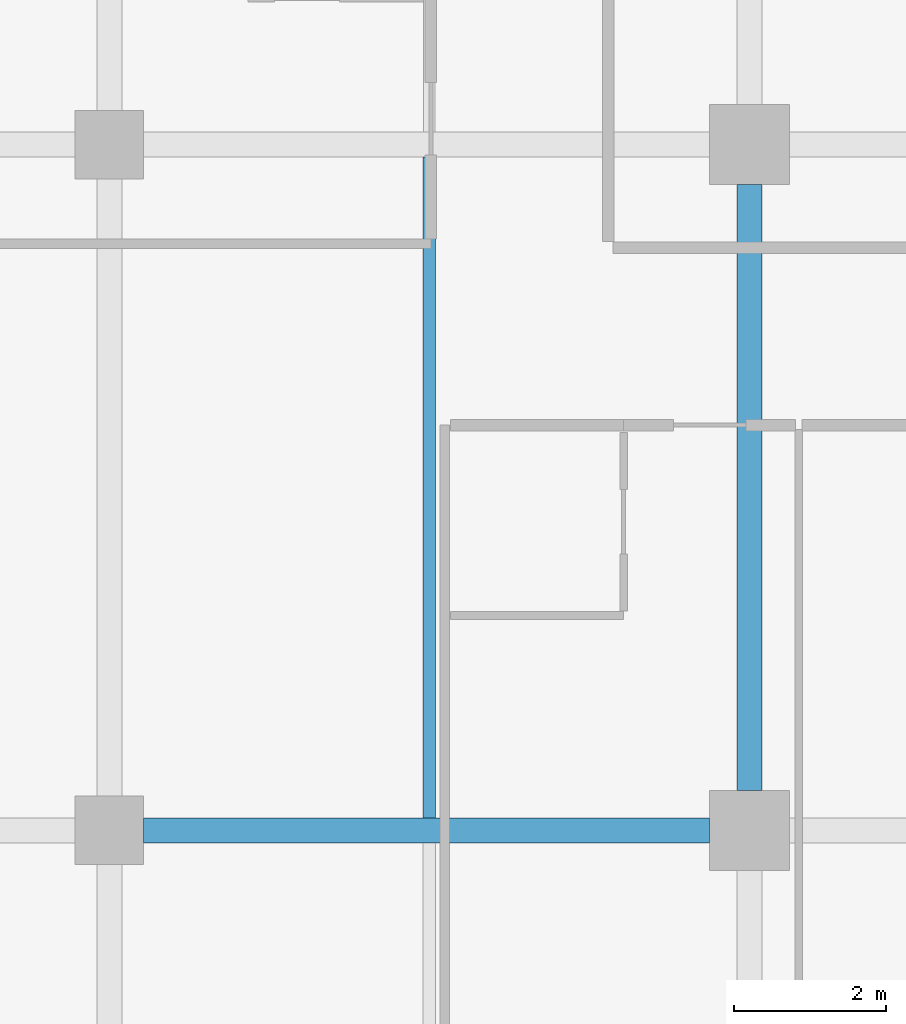
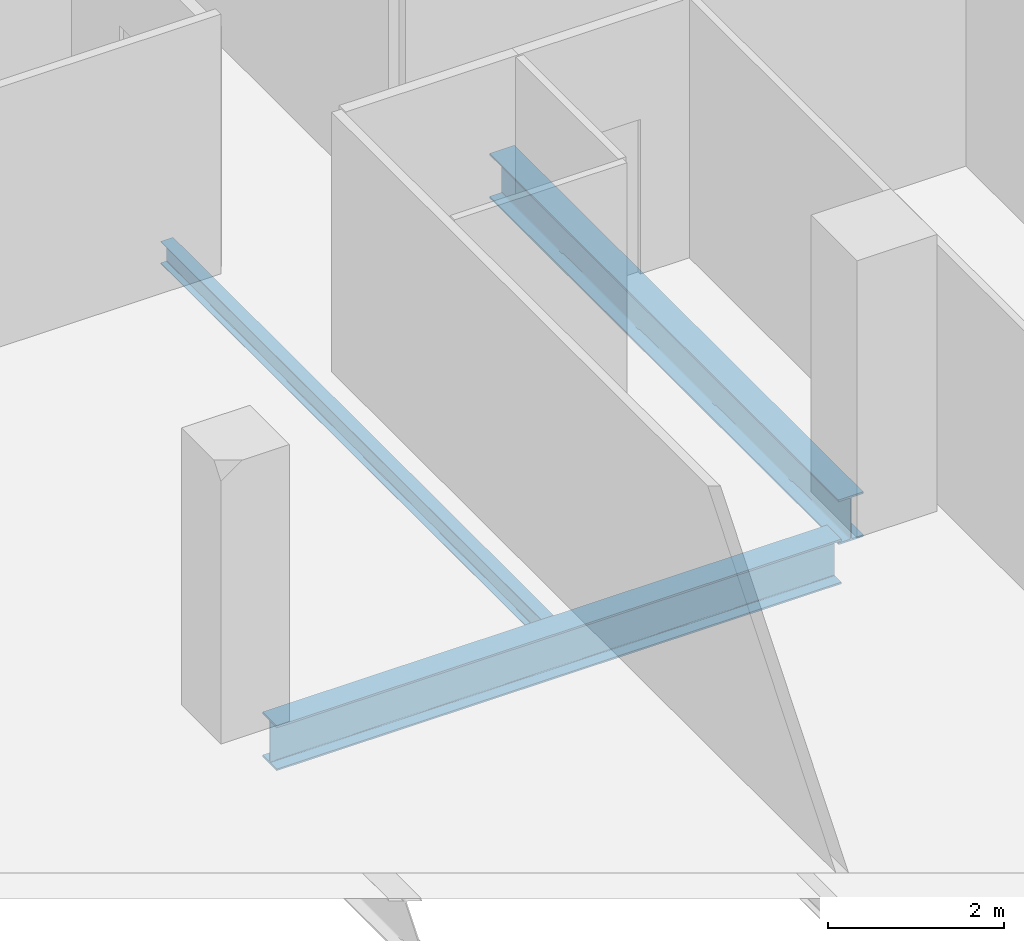
# One storey, part 6 of 40: 3 beams.
"""IFC4 building model written with IfcOpenShell, lengths in metres."""

from ifc_helpers import new_model, si_unit, direction, frame, origin, origin_2d, place, context, subcontext, project, spatial, i_section, extrude, material, material_profile, profile_set, type_object, element, save


model = new_model("IFC4")

# Units and contexts
model_context = context("Model", 3, precision=1e-05, world=origin(), true_north=direction((0.0, 1.0)))
body_context = subcontext(model_context, "Body", "Model", "MODEL_VIEW")
ifc_project = project(units=[si_unit("LENGTHUNIT", "METRE"), si_unit("AREAUNIT", "SQUARE_METRE"), si_unit("VOLUMEUNIT", "CUBIC_METRE"), si_unit("PLANEANGLEUNIT", "RADIAN"), si_unit("MASSUNIT", "GRAM", prefix="KILO")], contexts=[model_context])

# Site, building, storey
site_placement = place(None, origin())
site = spatial("IfcSite", under=ifc_project, at=site_placement, CompositionType="ELEMENT")
building_placement = place(site_placement, origin())
building = spatial("IfcBuilding", under=site, at=building_placement, Name="Maruvema Waterfront Hotel and Observation Tower", CompositionType="ELEMENT")
storey_placement = place(building_placement, frame((0.0, 0.0, 42.35009765625)))
storey = spatial("IfcBuildingStorey", under=building, at=storey_placement, Name="L09", CompositionType="ELEMENT", Elevation=42.35009765625)

# Beams
ifc_material_1 = material(Name="Steel ASTM A572 Grade 50", Category="steel")
ifc_material_profile_1 = material_profile(ifc_material_1, i_section(OverallWidth=0.326904296875, OverallDepth=0.6220703125, WebThickness=0.015380859375, FlangeThickness=0.0244140625, FilletRadius=0.01806640625, at=origin_2d()), Name="W610x195.0")
ifc_profile_set_1 = profile_set([ifc_material_profile_1], Name="Steel ASTM A572 Grade 50")
beam_type_1 = type_object("IfcBeamType", Name="Primary Floor Girder W610x195.0", PredefinedType="BEAM", material=ifc_profile_set_1)
beam_1_placement = place(storey_placement, frame((17.25, 9.0, -0.551025390625), z_axis=(1.0, 0.0, 0.0), x_axis=(0.0, 1.0, 0.0)))
element("IfcBeam", 1, at=beam_1_placement, inside=storey, type_object=beam_type_1, Name="L09 Floor Girder EW-07", PredefinedType="BEAM", context=body_context, shape_type="SweptSolid", body=[
    extrude(i_section(OverallWidth=0.326904296875, OverallDepth=0.6220703125, WebThickness=0.015380859375, FlangeThickness=0.0244140625, FilletRadius=0.01806640625, at=origin_2d()), origin(), (0.0, 0.0, 1.0), 7.425048828125),
])
beam_2_placement = place(storey_placement, frame((25.199951171875, 9.52490234375, -0.551025390625), z_axis=(0.0, 1.0, 0.0), x_axis=(-1.0, 0.0, 0.0)))
element("IfcBeam", 2, at=beam_2_placement, inside=storey, type_object=beam_type_1, Name="L09 Floor Girder NS-12", PredefinedType="BEAM", context=body_context, shape_type="SweptSolid", body=[
    extrude(i_section(OverallWidth=0.326904296875, OverallDepth=0.6220703125, WebThickness=0.015380859375, FlangeThickness=0.0244140625, FilletRadius=0.01806640625, at=origin_2d()), origin(), (0.0, 0.0, 1.0), 7.9501953125),
])
ifc_material_2 = material(Name="Steel ASTM A572 Grade 50", Category="steel")
ifc_material_profile_2 = material_profile(ifc_material_2, i_section(OverallWidth=0.1650390625, OverallDepth=0.31005859375, WebThickness=0.005859375, FlangeThickness=0.009765625, FilletRadius=0.012939453125, at=origin_2d()), Name="W310x38.7")
ifc_profile_set_2 = profile_set([ifc_material_profile_2], Name="Steel ASTM A572 Grade 50")
beam_type_2 = type_object("IfcBeamType", Name="Secondary Floor Joist W310x38.7", PredefinedType="JOIST", material=ifc_profile_set_2)
beam_3_placement = place(storey_placement, frame((21.0, 9.16357421875, -0.39501953125), z_axis=(0.0, 1.0, 0.0), x_axis=(-1.0, 0.0, 0.0)))
element("IfcBeam", 3, at=beam_3_placement, inside=storey, type_object=beam_type_2, Name="L09 Secondary Floor Joist JS-06", PredefinedType="JOIST", context=body_context, shape_type="SweptSolid", body=[
    extrude(i_section(OverallWidth=0.1650390625, OverallDepth=0.31005859375, WebThickness=0.005859375, FlangeThickness=0.009765625, FilletRadius=0.012939453125, at=origin_2d()), origin(), (0.0, 0.0, 1.0), 8.6728515625),
])

save(model, "model.ifc")
